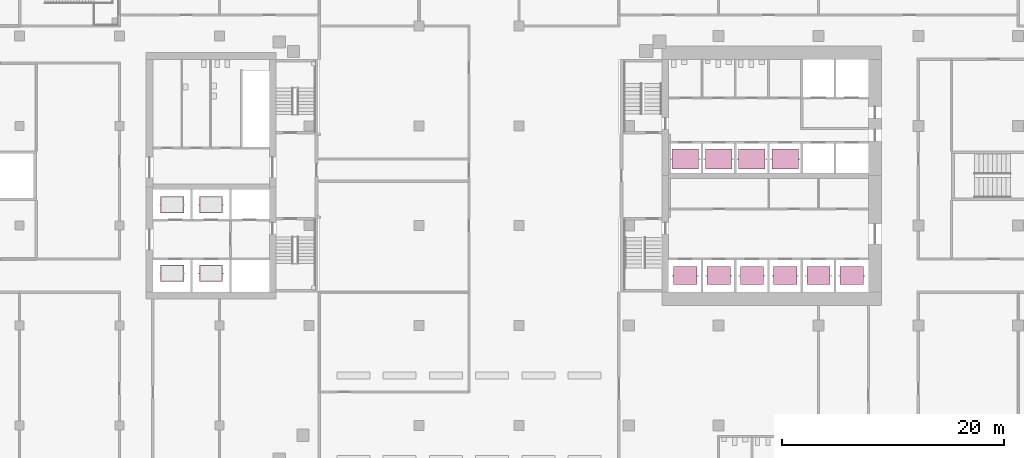
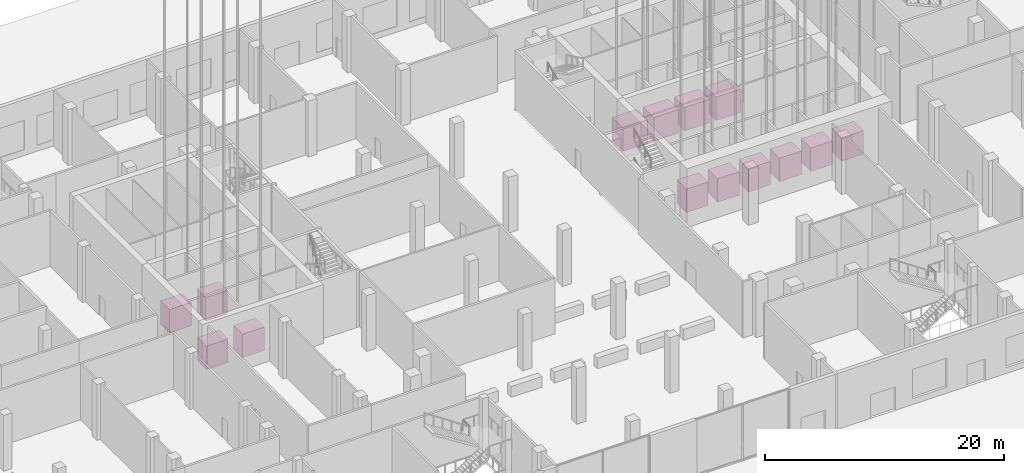
# One storey, part 54 of 55: 14 transport elements.
"""IFC4 building model written with IfcOpenShell, lengths in metres."""

from ifc_helpers import new_model, si_unit, direction, frame, origin, origin_2d, place, context, subcontext, project, spatial, rectangle, extrude, material, type_object, element, save


model = new_model("IFC4")

# Units and contexts
model_context = context("Model", 3, precision=1e-05, world=origin(), true_north=direction((0.0, 1.0)))
body_context = subcontext(model_context, "Body", "Model", "MODEL_VIEW")
ifc_project = project(units=[si_unit("LENGTHUNIT", "METRE"), si_unit("AREAUNIT", "SQUARE_METRE"), si_unit("VOLUMEUNIT", "CUBIC_METRE"), si_unit("PLANEANGLEUNIT", "RADIAN"), si_unit("MASSUNIT", "GRAM", prefix="KILO")], contexts=[model_context])

# Site, building, storey
site_placement = place(None, origin())
site = spatial("IfcSite", under=ifc_project, at=site_placement, CompositionType="ELEMENT")
building_placement = place(site_placement, origin())
building = spatial("IfcBuilding", under=site, at=building_placement, Name="Cinnabar Reach Civic Tower", CompositionType="ELEMENT")
storey_placement = place(building_placement, origin())
storey = spatial("IfcBuildingStorey", under=building, at=storey_placement, Name="L00", CompositionType="ELEMENT", Elevation=0.0)

# Transport elements
ifc_material = material(Name="Stainless steel car", Category="steel")
transport_element_type_1 = type_object("IfcTransportElementType", Name="T1 lift car 2100 x 1600", PredefinedType="ELEVATOR", material=ifc_material)
for number, where, z_axis, x_axis, name in (
    (1, (6.0, 22.5, 0.0), (0.0, 0.0, 1.0), (1.0, 0.0, 0.0), "T1-LR1"),
    (2, (9.0, 22.5, 0.0), (0.0, 0.0, 1.0), (1.0, 0.0, 0.0), "T1-LR2"),
    (3, (12.0, 22.5, 0.0), (0.0, 0.0, 1.0), (1.0, 0.0, 0.0), "T1-LR3"),
    (4, (15.0, 22.5, 0.0), (0.0, 0.0, 1.0), (1.0, 0.0, 0.0), "T1-LR4"),
    (5, (18.0, 22.5, 0.0), (0.0, 0.0, 1.0), (1.0, 0.0, 0.0), "T1-LR5"),
    (6, (21.0, 22.5, 0.0), (0.0, 0.0, 1.0), (1.0, 0.0, 0.0), "T1-LR6"),
):
    element("IfcTransportElement", number, at=place(storey_placement, frame(where, z_axis=z_axis, x_axis=x_axis)), inside=storey, type_object=transport_element_type_1, Name=name, PredefinedType="ELEVATOR", context=body_context, shape_type="SweptSolid", body=[
        extrude(rectangle(XDim=2.1, YDim=1.6, at=origin_2d()), origin(), (0.0, 0.0, 1.0), 2.4),
    ])
transport_element_type_2 = type_object("IfcTransportElementType", Name="T1 lift car 2400 x 1800", PredefinedType="ELEVATOR", material=ifc_material)
for number, where, z_axis, x_axis, name in (
    (7, (6.0, 33.0, 0.0), (0.0, 0.0, 1.0), (1.0, 0.0, 0.0), "T1-SH1"),
    (8, (9.0, 33.0, 0.0), (0.0, 0.0, 1.0), (1.0, 0.0, 0.0), "T1-SH2"),
    (9, (12.0, 33.0, 0.0), (0.0, 0.0, 1.0), (1.0, 0.0, 0.0), "T1-OB1"),
    (10, (15.0, 33.0, 0.0), (0.0, 0.0, 1.0), (1.0, 0.0, 0.0), "T1-OB2"),
):
    element("IfcTransportElement", number, at=place(storey_placement, frame(where, z_axis=z_axis, x_axis=x_axis)), inside=storey, type_object=transport_element_type_2, Name=name, PredefinedType="ELEVATOR", context=body_context, shape_type="SweptSolid", body=[
        extrude(rectangle(XDim=2.4, YDim=1.8, at=origin_2d()), origin(), (0.0, 0.0, 1.0), 2.4),
    ])
transport_element_type_3 = type_object("IfcTransportElementType", Name="T2 Passenger lift car", PredefinedType="ELEVATOR", material=ifc_material)
for number, where, z_axis, x_axis, name in (
    (11, (-40.25, 22.7, 0.0), (0.0, 0.0, 1.0), (1.0, 0.0, 0.0), "T2-P1"),
    (12, (-36.75, 22.7, 0.0), (0.0, 0.0, 1.0), (1.0, 0.0, 0.0), "T2-P2"),
    (13, (-40.25, 28.875, 0.0), (0.0, 0.0, 1.0), (1.0, 0.0, 0.0), "T2-P3"),
    (14, (-36.75, 28.875, 0.0), (0.0, 0.0, 1.0), (1.0, 0.0, 0.0), "T2-P4"),
):
    element("IfcTransportElement", number, at=place(storey_placement, frame(where, z_axis=z_axis, x_axis=x_axis)), inside=storey, type_object=transport_element_type_3, Name=name, PredefinedType="ELEVATOR", context=body_context, shape_type="SweptSolid", body=[
        extrude(rectangle(XDim=2.1, YDim=1.5, at=origin_2d()), origin(), (0.0, 0.0, 1.0), 2.4),
    ])

save(model, "model.ifc")
